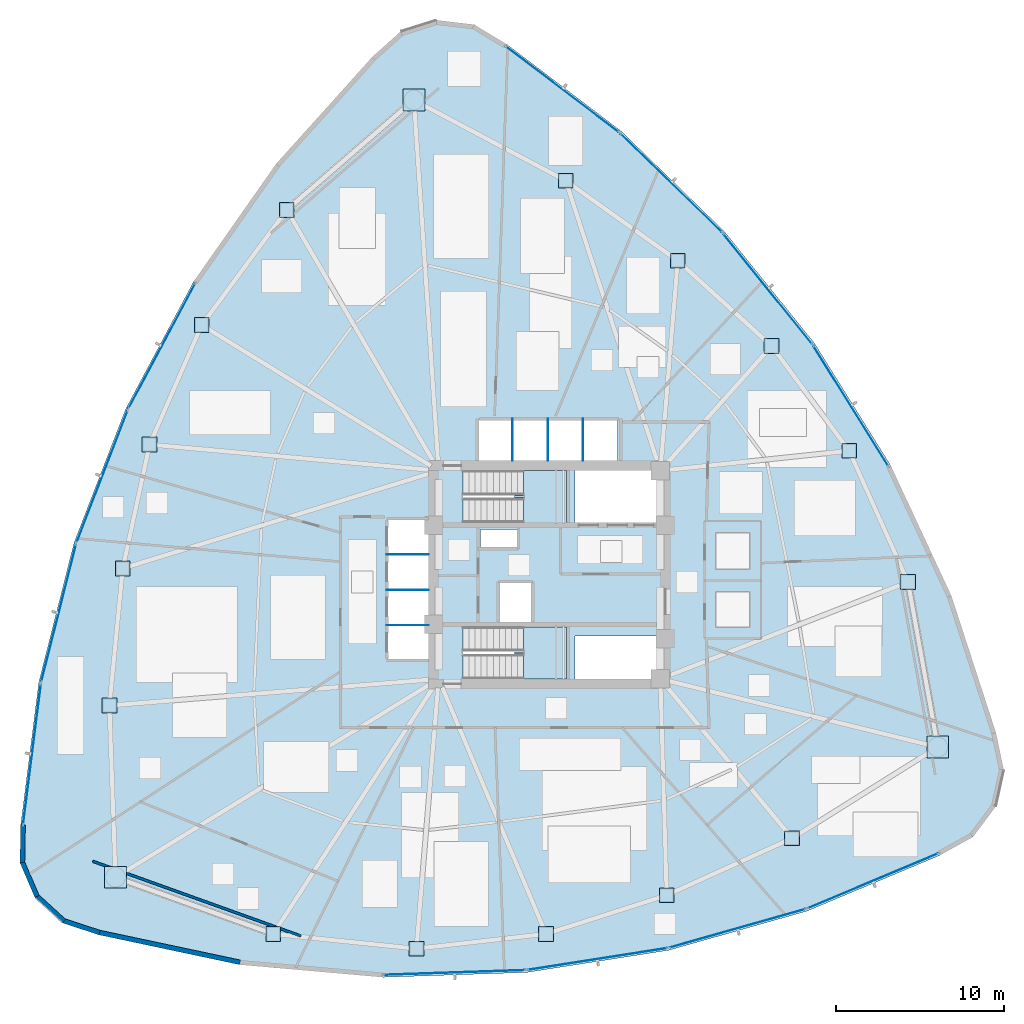
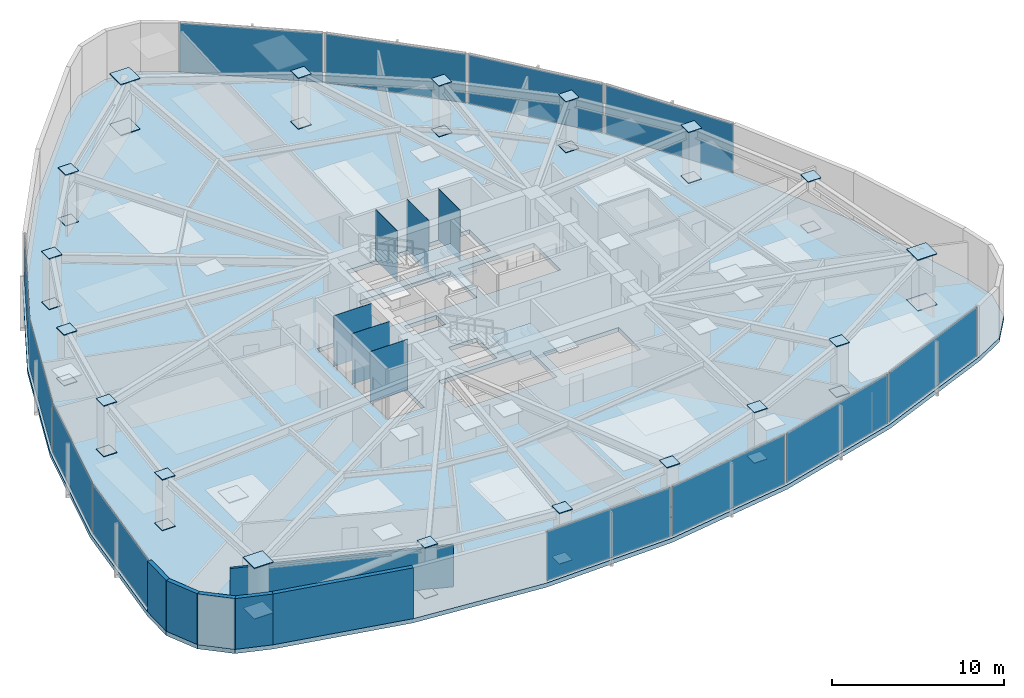
# One storey, part 11 of 18: 54 plates, 6 walls, 3 slabs, 14 elements without a shape of their own.
"""IFC4 building model written with IfcOpenShell, lengths in metres."""

from ifc_helpers import new_model, si_unit, direction, frame, frame_2d, origin, origin_2d, place, context, subcontext, project, spatial, polyline, rectangle, outline, extrude, source, transform, mapped, material, layer, layer_set, type_object, type_shapes, element, aggregate, save


model = new_model("IFC4")

# Units and contexts
model_context = context("Model", 3, precision=1e-05, world=origin(), true_north=direction((0.0, 1.0)))
body_context = subcontext(model_context, "Body", "Model", "MODEL_VIEW")
ifc_project = project(units=[si_unit("LENGTHUNIT", "METRE"), si_unit("AREAUNIT", "SQUARE_METRE"), si_unit("VOLUMEUNIT", "CUBIC_METRE"), si_unit("PLANEANGLEUNIT", "RADIAN"), si_unit("MASSUNIT", "GRAM", prefix="KILO")], contexts=[model_context])

# Site, building, storey
site_placement = place(None, origin())
site = spatial("IfcSite", under=ifc_project, at=site_placement, CompositionType="ELEMENT")
building_placement = place(site_placement, origin())
building = spatial("IfcBuilding", under=site, at=building_placement, Name="Tavelor Broadcast Tower", CompositionType="ELEMENT")
storey_placement = place(building_placement, frame((0.0, 0.0, 47.10009765625)))
storey = spatial("IfcBuildingStorey", under=building, at=storey_placement, Name="L10", CompositionType="ELEMENT", Elevation=47.10009765625)

# Stair, slab
ifc_material_1 = material(Name="Concrete C40/50", Category="concrete")
stair_type = type_object("IfcStairType", Name="Reinforced Concrete Protected Dogleg Stair 1450 mm", PredefinedType="HALF_TURN_STAIR", material=ifc_material_1)
stair_1_placement = place(storey_placement, origin())
stair_1 = element("IfcStair", 1, at=stair_1_placement, inside=storey, type_object=stair_type, Name="L10 Protected Core Exit Stair ST1", PredefinedType="HALF_TURN_STAIR")
ifc_layer_1 = layer(ifc_material_1, 0.199951171875)
ifc_layer_set_1 = layer_set([ifc_layer_1], Name="Concrete C40/50")
slab_type_1 = type_object("IfcSlabType", Name="Reinforced Concrete Stair Half-Landing Slab 200 mm", PredefinedType="LANDING", material=ifc_layer_set_1)
slab_1_placement = place(storey_placement, frame((0.0, 0.0, 1.75)))
slab_1 = element("IfcSlab", 2, at=slab_1_placement, type_object=slab_type_1, Name="ST1 landing 1", PredefinedType="LANDING", context=body_context, shape_type="SweptSolid", body=[
    extrude(outline(polyline([(48.445068359375, 49.590087890625), (48.445068359375, 48.094970703125), (51.0048828125, 48.094970703125), (51.0048828125, 51.205078125), (48.445068359375, 51.205078125), (48.445068359375, 49.7099609375), (47.905029296875, 49.7099609375), (47.905029296875, 49.590087890625), (48.445068359375, 49.590087890625)])), origin(), (0.0, 0.0, 1.0), 0.199951171875),
])
aggregate(stair_1, [slab_1])

stair_2_placement = place(storey_placement, origin())
stair_2 = element("IfcStair", 3, at=stair_2_placement, inside=storey, type_object=stair_type, Name="L10 Protected Core Exit Stair ST2", PredefinedType="HALF_TURN_STAIR")
slab_2_placement = place(storey_placement, frame((0.0, 0.0, 1.75)))
slab_2 = element("IfcSlab", 4, at=slab_2_placement, type_object=slab_type_1, Name="ST2 landing 1", PredefinedType="LANDING", context=body_context, shape_type="SweptSolid", body=[
    extrude(outline(polyline([(48.445068359375, 40.2900390625), (48.445068359375, 38.794921875), (51.0048828125, 38.794921875), (51.0048828125, 41.905029296875), (48.445068359375, 41.905029296875), (48.445068359375, 40.409912109375), (47.905029296875, 40.409912109375), (47.905029296875, 40.2900390625), (48.445068359375, 40.2900390625)])), origin(), (0.0, 0.0, 1.0), 0.199951171875),
])
aggregate(stair_2, [slab_2])

# Slab
ifc_layer_2 = layer(ifc_material_1, 0.300048828125)
ifc_layer_set_2 = layer_set([ifc_layer_2], Name="Concrete C40/50")
slab_type_2 = type_object("IfcSlabType", Name="Tower Composite Floor Slab 300 mm", PredefinedType="FLOOR", material=ifc_layer_set_2)
slab_3_placement = place(storey_placement, frame((0.0, 0.0, -0.300048828125)))
element("IfcSlab", 5, at=slab_3_placement, inside=storey, type_object=slab_type_2, Name="L10 Structural Floor Slab", PredefinedType="FLOOR", context=body_context, shape_type="SweptSolid", body=[
    extrude(outline(polyline([(47.44189453125, 76.59912109375), (45.513427734375, 77.760009765625), (43.2783203125, 78.024658203125), (41.132080078125, 77.345947265625), (39.45556640625, 75.84423828125), (33.7255859375, 69.47509765625), (28.808349609375, 62.45947265625), (24.7763671875, 54.900146484375), (21.688720703125, 46.908447265625), (19.5908203125, 38.60205078125), (18.513427734375, 30.1025390625), (18.47216796875, 27.852294921875), (19.360595703125, 25.7841796875), (21.021484375, 24.264892578125), (23.160400390625, 23.563720703125), (31.541259765625, 21.785888671875), (40.07568359375, 21.035400390625), (48.63818359375, 21.3232421875), (57.102783203125, 22.64501953125), (65.345458984375, 24.9814453125), (73.244873046875, 28.298095703125), (75.21435546875, 29.3876953125), (76.56103515625, 31.191162109375), (77.04638671875, 33.38916015625), (76.583984375, 35.591796875), (73.933349609375, 43.739013671875), (70.316162109375, 51.505126953125), (65.78564453125, 58.776611328125), (60.408447265625, 65.446533203125), (54.263916015625, 71.41650390625), (47.44189453125, 76.59912109375)]), holes=[polyline([(56.60009765625, 38.800048828125), (51.52001953125, 38.800048828125), (51.52001953125, 41.35009765625), (56.60009765625, 41.35009765625), (56.60009765625, 38.800048828125)]), polyline([(50.99609375, 38.803955078125), (44.85400390625, 38.803955078125), (44.85400390625, 41.89599609375), (50.99609375, 41.89599609375), (50.99609375, 38.803955078125)]), polyline([(47.050048828125, 42.199951171875), (47.050048828125, 44.550048828125), (48.949951171875, 44.550048828125), (48.949951171875, 42.199951171875), (47.050048828125, 42.199951171875)]), polyline([(40.35009765625, 40.0), (40.35009765625, 48.25), (42.800048828125, 48.25), (42.800048828125, 40.0), (40.35009765625, 40.0)]), polyline([(48.050048828125, 46.64990234375), (45.89990234375, 46.64990234375), (45.89990234375, 47.699951171875), (48.050048828125, 47.699951171875), (48.050048828125, 46.64990234375)]), polyline([(50.99609375, 48.10400390625), (44.85400390625, 48.10400390625), (44.85400390625, 51.196044921875), (50.99609375, 51.196044921875), (50.99609375, 48.10400390625)]), polyline([(56.60009765625, 48.10009765625), (51.52001953125, 48.10009765625), (51.52001953125, 51.199951171875), (56.60009765625, 51.199951171875), (56.60009765625, 48.10009765625)]), polyline([(54.050048828125, 51.800048828125), (45.800048828125, 51.800048828125), (45.800048828125, 54.25), (54.050048828125, 54.25), (54.050048828125, 51.800048828125)])]), origin(), (0.0, 0.0, 1.0), 0.300048828125),
])

# Plates
ifc_material_2 = material(Name="Steel S460", Category="steel")
ifc_layer_3 = layer(ifc_material_2, 0.050048828125)
ifc_layer_set_3 = layer_set([ifc_layer_3], Name="Steel S460")
plate_type_1 = type_object("IfcPlateType", Name="Tube Hollow-End Cap Plate KN05 700x700x50", PredefinedType="USERDEFINED", material=ifc_layer_set_3)
shared_shape_1 = source(origin(), body_context, "Body", "SweptSolid", [
    extrude(rectangle(XDim=1.299072265625, YDim=1.299072265625, at=origin_2d()), origin(), (0.0, 0.0, 1.0), 0.054931640625),
])
for number, where, z_axis, x_axis, name in (
    (6, (41.923095703125, 73.266357421875, -0.02734375), (0.0, 0.0, 1.0), (1.0, 0.0, 0.0), "L10 Hollow End Cap Plate KN05 #346"),
    (7, (41.923095703125, 73.266357421875, 3.572265625), (0.0, 0.0, 1.0), (1.0, 0.0, 0.0), "L10 Hollow End Cap Plate KN05 #347"),
    (8, (24.1591796875, 26.98974609375, -0.02734375), (0.0, 0.0, 1.0), (1.0, 0.0, 0.0), "L10 Hollow End Cap Plate KN05 #358"),
    (9, (24.1591796875, 26.98974609375, 3.572265625), (0.0, 0.0, 1.0), (1.0, 0.0, 0.0), "L10 Hollow End Cap Plate KN05 #359"),
    (10, (73.117919921875, 34.743896484375, -0.02734375), (0.0, 0.0, 1.0), (1.0, 0.0, 0.0), "L10 Hollow End Cap Plate KN05 #370"),
    (11, (73.117919921875, 34.743896484375, 3.572265625), (0.0, 0.0, 1.0), (1.0, 0.0, 0.0), "L10 Hollow End Cap Plate KN05 #371"),
):
    element("IfcPlate", number, at=place(storey_placement, frame(where, z_axis=z_axis, x_axis=x_axis)), inside=storey, type_object=plate_type_1, Name=name, ObjectType="CAP PLATE", PredefinedType="USERDEFINED", context=body_context, shape_type="MappedRepresentation", body=[
        mapped(shared_shape_1, transform((0.0, 0.0, 0.0), scale=1.0)),
    ])
shared_shape_2 = source(origin(), body_context, "Body", "SweptSolid", [
    extrude(rectangle(XDim=0.8798828125, YDim=0.8798828125, at=origin_2d()), origin(), (0.0, 0.0, 1.0), 0.054931640625),
])
type_shapes(plate_type_1, [shared_shape_1, shared_shape_2])
for number, where, z_axis, x_axis, name in (
    (12, (34.356201171875, 66.727783203125, -0.02734375), (0.0, 0.0, 1.0), (1.0, 0.0, 0.0), "L10 Hollow End Cap Plate KN05 #348"),
    (13, (34.356201171875, 66.727783203125, 3.572265625), (0.0, 0.0, 1.0), (1.0, 0.0, 0.0), "L10 Hollow End Cap Plate KN05 #349"),
    (14, (29.292236328125, 59.87158203125, -0.02734375), (0.0, 0.0, 1.0), (1.0, 0.0, 0.0), "L10 Hollow End Cap Plate KN05 #350"),
    (15, (29.292236328125, 59.87158203125, 3.572265625), (0.0, 0.0, 1.0), (1.0, 0.0, 0.0), "L10 Hollow End Cap Plate KN05 #351"),
    (16, (26.189208984375, 52.75830078125, -0.02734375), (0.0, 0.0, 1.0), (1.0, 0.0, 0.0), "L10 Hollow End Cap Plate KN05 #352"),
    (17, (26.189208984375, 52.75830078125, 3.572265625), (0.0, 0.0, 1.0), (1.0, 0.0, 0.0), "L10 Hollow End Cap Plate KN05 #353"),
    (18, (24.58984375, 45.380615234375, -0.02734375), (0.0, 0.0, 1.0), (1.0, 0.0, 0.0), "L10 Hollow End Cap Plate KN05 #354"),
    (19, (24.58984375, 45.380615234375, 3.572265625), (0.0, 0.0, 1.0), (1.0, 0.0, 0.0), "L10 Hollow End Cap Plate KN05 #355"),
    (20, (23.794677734375, 37.21630859375, -0.02734375), (0.0, 0.0, 1.0), (1.0, 0.0, 0.0), "L10 Hollow End Cap Plate KN05 #356"),
    (21, (23.794677734375, 37.21630859375, 3.572265625), (0.0, 0.0, 1.0), (1.0, 0.0, 0.0), "L10 Hollow End Cap Plate KN05 #357"),
    (22, (33.55078125, 23.615478515625, -0.02734375), (0.0, 0.0, 1.0), (1.0, 0.0, 0.0), "L10 Hollow End Cap Plate KN05 #360"),
    (23, (33.55078125, 23.615478515625, 3.572265625), (0.0, 0.0, 1.0), (1.0, 0.0, 0.0), "L10 Hollow End Cap Plate KN05 #361"),
    (24, (42.0732421875, 22.740478515625, -0.02734375), (0.0, 0.0, 1.0), (1.0, 0.0, 0.0), "L10 Hollow End Cap Plate KN05 #362"),
    (25, (42.0732421875, 22.740478515625, 3.572265625), (0.0, 0.0, 1.0), (1.0, 0.0, 0.0), "L10 Hollow End Cap Plate KN05 #363"),
    (26, (49.78662109375, 23.617919921875, -0.02734375), (0.0, 0.0, 1.0), (1.0, 0.0, 0.0), "L10 Hollow End Cap Plate KN05 #364"),
    (27, (49.78662109375, 23.617919921875, 3.572265625), (0.0, 0.0, 1.0), (1.0, 0.0, 0.0), "L10 Hollow End Cap Plate KN05 #365"),
    (28, (56.975341796875, 25.92138671875, -0.02734375), (0.0, 0.0, 1.0), (1.0, 0.0, 0.0), "L10 Hollow End Cap Plate KN05 #366"),
    (29, (56.975341796875, 25.92138671875, 3.572265625), (0.0, 0.0, 1.0), (1.0, 0.0, 0.0), "L10 Hollow End Cap Plate KN05 #367"),
    (30, (64.443603515625, 29.31494140625, -0.02734375), (0.0, 0.0, 1.0), (1.0, 0.0, 0.0), "L10 Hollow End Cap Plate KN05 #368"),
    (31, (64.443603515625, 29.31494140625, 3.572265625), (0.0, 0.0, 1.0), (1.0, 0.0, 0.0), "L10 Hollow End Cap Plate KN05 #369"),
    (32, (71.343994140625, 44.564697265625, -0.02734375), (0.0, 0.0, 1.0), (1.0, 0.0, 0.0), "L10 Hollow End Cap Plate KN05 #372"),
    (33, (71.343994140625, 44.564697265625, 3.572265625), (0.0, 0.0, 1.0), (1.0, 0.0, 0.0), "L10 Hollow End Cap Plate KN05 #373"),
    (34, (67.8408203125, 52.382568359375, -0.02734375), (0.0, 0.0, 1.0), (1.0, 0.0, 0.0), "L10 Hollow End Cap Plate KN05 #374"),
    (35, (67.8408203125, 52.382568359375, 3.572265625), (0.0, 0.0, 1.0), (1.0, 0.0, 0.0), "L10 Hollow End Cap Plate KN05 #375"),
    (36, (63.22412109375, 58.623779296875, -0.02734375), (0.0, 0.0, 1.0), (1.0, 0.0, 0.0), "L10 Hollow End Cap Plate KN05 #376"),
    (37, (63.22412109375, 58.623779296875, 3.572265625), (0.0, 0.0, 1.0), (1.0, 0.0, 0.0), "L10 Hollow End Cap Plate KN05 #377"),
    (38, (57.634765625, 63.69775390625, -0.02734375), (0.0, 0.0, 1.0), (1.0, 0.0, 0.0), "L10 Hollow End Cap Plate KN05 #378"),
    (39, (57.634765625, 63.69775390625, 3.572265625), (0.0, 0.0, 1.0), (1.0, 0.0, 0.0), "L10 Hollow End Cap Plate KN05 #379"),
    (40, (50.9619140625, 68.468505859375, -0.02734375), (0.0, 0.0, 1.0), (1.0, 0.0, 0.0), "L10 Hollow End Cap Plate KN05 #380"),
    (41, (50.9619140625, 68.468505859375, 3.572265625), (0.0, 0.0, 1.0), (1.0, 0.0, 0.0), "L10 Hollow End Cap Plate KN05 #381"),
):
    element("IfcPlate", number, at=place(storey_placement, frame(where, z_axis=z_axis, x_axis=x_axis)), inside=storey, type_object=plate_type_1, Name=name, ObjectType="CAP PLATE", PredefinedType="USERDEFINED", context=body_context, shape_type="MappedRepresentation", body=[
        mapped(shared_shape_2, transform((0.0, 0.0, 0.0), scale=1.0)),
    ])
ifc_material_3 = material(Name="Steel S355", Category="steel")
ifc_layer_4 = layer(ifc_material_3, 0.011962890625)
ifc_layer_set_4 = layer_set([ifc_layer_4], Name="Steel S355")
plate_type_2 = type_object("IfcPlateType", Name="Hoistway Steel Separator Screen 12 mm", PredefinedType="SHEET", material=ifc_layer_set_4)
shared_shape_3 = source(origin(), body_context, "Body", "SweptSolid", [
    extrude(rectangle(XDim=2.52001953125, YDim=0.02001953125, at=origin_2d()), origin(), (0.0, 0.0, 1.0), 3.60009765625),
])
for number, where, z_axis, x_axis, name in (
    (42, (41.56005859375, 42.0, -0.000244140625), (0.0, 0.0, 1.0), (1.0, 0.0, 0.0), "L10 Low-Rise Hoistway Separator Screen 1"),
    (43, (41.56005859375, 44.10009765625, -0.000244140625), (0.0, 0.0, 1.0), (1.0, 0.0, 0.0), "L10 Low-Rise Hoistway Separator Screen 2"),
    (44, (41.56005859375, 46.199951171875, -0.000244140625), (0.0, 0.0, 1.0), (1.0, 0.0, 0.0), "L10 Low-Rise Hoistway Separator Screen 3"),
):
    element("IfcPlate", number, at=place(storey_placement, frame(where, z_axis=z_axis, x_axis=x_axis)), inside=storey, type_object=plate_type_2, Name=name, PredefinedType="SHEET", context=body_context, shape_type="MappedRepresentation", body=[
        mapped(shared_shape_3, transform((0.0, 0.0, 0.0), scale=1.0)),
    ])
shared_shape_4 = source(origin(), body_context, "Body", "SweptSolid", [
    extrude(rectangle(XDim=0.02001953125, YDim=2.52001953125, at=origin_2d()), origin(), (0.0, 0.0, 1.0), 3.60009765625),
])
type_shapes(plate_type_2, [shared_shape_3, shared_shape_4])
for number, where, z_axis, x_axis, name in (
    (45, (47.800048828125, 53.0400390625, -0.000244140625), (0.0, 0.0, 1.0), (1.0, 0.0, 0.0), "L10 High-Rise Hoistway Separator Screen 1"),
    (46, (49.89990234375, 53.0400390625, -0.000244140625), (0.0, 0.0, 1.0), (1.0, 0.0, 0.0), "L10 High-Rise Hoistway Separator Screen 2"),
    (47, (52.0, 53.0400390625, -0.000244140625), (0.0, 0.0, 1.0), (1.0, 0.0, 0.0), "L10 High-Rise Hoistway Separator Screen 3"),
):
    element("IfcPlate", number, at=place(storey_placement, frame(where, z_axis=z_axis, x_axis=x_axis)), inside=storey, type_object=plate_type_2, Name=name, PredefinedType="SHEET", context=body_context, shape_type="MappedRepresentation", body=[
        mapped(shared_shape_4, transform((0.0, 0.0, 0.0), scale=1.0)),
    ])

# Curtain wall, plate
ifc_material_4 = material(Name="Architectural Anodized Aluminium", Category="aluminium")
ifc_layer_5 = layer(ifc_material_4, 0.179931640625)
ifc_layer_set_5 = layer_set([ifc_layer_5], Name="Architectural Anodized Aluminium")
curtain_wall_type = type_object("IfcCurtainWallType", Name="Tower Low-Zone Unitised Curtain Wall CW02", PredefinedType="NOTDEFINED", material=ifc_layer_set_5)
curtain_wall_1_placement = place(storey_placement, origin())
curtain_wall_1 = element("IfcCurtainWall", 48, at=curtain_wall_1_placement, inside=storey, type_object=curtain_wall_type, Name="L10 Curtain Wall CW02 Run 73", PredefinedType="NOTDEFINED")
ifc_material_5 = material(Name="Acoustic Double Glazing 28 mm", Category="glass")
ifc_layer_6 = layer(ifc_material_5, 0.028076171875)
ifc_layer_set_6 = layer_set([ifc_layer_6], Name="Acoustic Double Glazing 28 mm")
plate_type_3 = type_object("IfcPlateType", Name="CW02 Insulated Vision Glazing Panel 28 mm", PredefinedType="CURTAIN_PANEL", material=ifc_layer_set_6)
shared_shape_5 = source(origin(), body_context, "Body", "SweptSolid", [
    extrude(rectangle(XDim=8.4052734375, YDim=0.028076171875, at=origin_2d()), origin(), (0.0, 0.0, 1.0), 3.469970703125),
])
plate_1_placement = place(storey_placement, frame((26.91943359375, 58.620361328125, 0.06494140625), z_axis=(0.0, 0.0, 1.0), x_axis=(-0.470616815411, -0.882337697853, 0.0)))
plate_1 = element("IfcPlate", 49, at=plate_1_placement, type_object=plate_type_3, Name="CW02 panel 1.1", PredefinedType="CURTAIN_PANEL", context=body_context, shape_type="MappedRepresentation", body=[
    mapped(shared_shape_5, transform((0.0, 0.0, 0.0), scale=1.0)),
])
aggregate(curtain_wall_1, [plate_1])

curtain_wall_2_placement = place(storey_placement, origin())
curtain_wall_2 = element("IfcCurtainWall", 50, at=curtain_wall_2_placement, inside=storey, type_object=curtain_wall_type, Name="L10 Curtain Wall CW02 Run 77", PredefinedType="NOTDEFINED")
plate_2_placement = place(storey_placement, frame((44.3447265625, 21.319091796875, 0.06494140625), z_axis=(0.0, 0.0, 1.0), x_axis=(0.99943609502, 0.033578147223, 0.0)))
plate_2 = element("IfcPlate", 51, at=plate_2_placement, type_object=plate_type_3, Name="CW02 panel 1.1", PredefinedType="CURTAIN_PANEL", context=body_context, shape_type="MappedRepresentation", body=[
    mapped(shared_shape_5, transform((0.0, 0.0, 0.0), scale=1.0)),
])
aggregate(curtain_wall_2, [plate_2])

curtain_wall_3_placement = place(storey_placement, origin())
curtain_wall_3 = element("IfcCurtainWall", 52, at=curtain_wall_3_placement, inside=storey, type_object=curtain_wall_type, Name="L10 Curtain Wall CW02 Run 81", PredefinedType="NOTDEFINED")
plate_3_placement = place(storey_placement, frame((67.93603515625, 55.060546875, 0.06494140625), z_axis=(0.0, 0.0, 1.0), x_axis=(-0.528811554684, 0.848739264811, 0.0)))
plate_3 = element("IfcPlate", 53, at=plate_3_placement, type_object=plate_type_3, Name="CW02 panel 1.1", PredefinedType="CURTAIN_PANEL", context=body_context, shape_type="MappedRepresentation", body=[
    mapped(shared_shape_5, transform((0.0, 0.0, 0.0), scale=1.0)),
])
aggregate(curtain_wall_3, [plate_3])

curtain_wall_4_placement = place(storey_placement, origin())
curtain_wall_4 = element("IfcCurtainWall", 54, at=curtain_wall_4_placement, inside=storey, type_object=curtain_wall_type, Name="L10 Curtain Wall CW02 Run 74", PredefinedType="NOTDEFINED")
shared_shape_6 = source(origin(), body_context, "Body", "SweptSolid", [
    extrude(rectangle(XDim=8.390380859375, YDim=0.028076171875, at=origin_2d()), origin(), (0.0, 0.0, 1.0), 3.469970703125),
])
plate_4_placement = place(storey_placement, frame((23.363037109375, 50.853759765625, 0.06494140625), z_axis=(0.0, 0.0, 1.0), x_axis=(-0.360399047108, -0.932798224078, 0.0)))
plate_4 = element("IfcPlate", 55, at=plate_4_placement, type_object=plate_type_3, Name="CW02 panel 1.1", PredefinedType="CURTAIN_PANEL", context=body_context, shape_type="MappedRepresentation", body=[
    mapped(shared_shape_6, transform((0.0, 0.0, 0.0), scale=1.0)),
])
aggregate(curtain_wall_4, [plate_4])

curtain_wall_5_placement = place(storey_placement, origin())
curtain_wall_5 = element("IfcCurtainWall", 56, at=curtain_wall_5_placement, inside=storey, type_object=curtain_wall_type, Name="L10 Curtain Wall CW02 Run 75", PredefinedType="NOTDEFINED")
plate_5_placement = place(storey_placement, frame((20.775390625, 42.720947265625, 0.06494140625), z_axis=(0.0, 0.0, 1.0), x_axis=(-0.244873970215, -0.969554917842, 0.0)))
plate_5 = element("IfcPlate", 57, at=plate_5_placement, type_object=plate_type_3, Name="CW02 panel 1.1", PredefinedType="CURTAIN_PANEL", context=body_context, shape_type="MappedRepresentation", body=[
    mapped(shared_shape_6, transform((0.0, 0.0, 0.0), scale=1.0)),
])
aggregate(curtain_wall_5, [plate_5])

curtain_wall_6_placement = place(storey_placement, origin())
curtain_wall_6 = element("IfcCurtainWall", 58, at=curtain_wall_6_placement, inside=storey, type_object=curtain_wall_type, Name="L10 Curtain Wall CW02 Run 78", PredefinedType="NOTDEFINED")
plate_6_placement = place(storey_placement, frame((52.848876953125, 22.122314453125, 0.06494140625), z_axis=(0.0, 0.0, 1.0), x_axis=(0.988025903229, 0.154288089461, 0.0)))
plate_6 = element("IfcPlate", 59, at=plate_6_placement, type_object=plate_type_3, Name="CW02 panel 1.1", PredefinedType="CURTAIN_PANEL", context=body_context, shape_type="MappedRepresentation", body=[
    mapped(shared_shape_6, transform((0.0, 0.0, 0.0), scale=1.0)),
])
aggregate(curtain_wall_6, [plate_6])

curtain_wall_7_placement = place(storey_placement, origin())
curtain_wall_7 = element("IfcCurtainWall", 60, at=curtain_wall_7_placement, inside=storey, type_object=curtain_wall_type, Name="L10 Curtain Wall CW02 Run 79", PredefinedType="NOTDEFINED")
plate_7_placement = place(storey_placement, frame((61.18603515625, 23.947998046875, 0.06494140625), z_axis=(0.0, 0.0, 1.0), x_axis=(0.962092755554, 0.272722440791, 0.0)))
plate_7 = element("IfcPlate", 61, at=plate_7_placement, type_object=plate_type_3, Name="CW02 panel 1.1", PredefinedType="CURTAIN_PANEL", context=body_context, shape_type="MappedRepresentation", body=[
    mapped(shared_shape_6, transform((0.0, 0.0, 0.0), scale=1.0)),
])
aggregate(curtain_wall_7, [plate_7])

curtain_wall_8_placement = place(storey_placement, origin())
curtain_wall_8 = element("IfcCurtainWall", 62, at=curtain_wall_8_placement, inside=storey, type_object=curtain_wall_type, Name="L10 Curtain Wall CW02 Run 82", PredefinedType="NOTDEFINED")
plate_8_placement = place(storey_placement, frame((62.988037109375, 62.023681640625, 0.06494140625), z_axis=(0.0, 0.0, 1.0), x_axis=(-0.627627647152, 0.778513671383, 0.0)))
plate_8 = element("IfcPlate", 63, at=plate_8_placement, type_object=plate_type_3, Name="CW02 panel 1.1", PredefinedType="CURTAIN_PANEL", context=body_context, shape_type="MappedRepresentation", body=[
    mapped(shared_shape_6, transform((0.0, 0.0, 0.0), scale=1.0)),
])
aggregate(curtain_wall_8, [plate_8])

curtain_wall_9_placement = place(storey_placement, origin())
curtain_wall_9 = element("IfcCurtainWall", 64, at=curtain_wall_9_placement, inside=storey, type_object=curtain_wall_type, Name="L10 Curtain Wall CW02 Run 76", PredefinedType="NOTDEFINED")
shared_shape_7 = source(origin(), body_context, "Body", "SweptSolid", [
    extrude(rectangle(XDim=8.40625, YDim=0.028076171875, at=origin_2d()), origin(), (0.0, 0.0, 1.0), 3.469970703125),
])
plate_9_placement = place(storey_placement, frame((19.18994140625, 34.326904296875, 0.06494140625), z_axis=(0.0, 0.0, 1.0), x_axis=(-0.125744521639, -0.992062656931, 0.0)))
plate_9 = element("IfcPlate", 65, at=plate_9_placement, type_object=plate_type_3, Name="CW02 panel 1.1", PredefinedType="CURTAIN_PANEL", context=body_context, shape_type="MappedRepresentation", body=[
    mapped(shared_shape_7, transform((0.0, 0.0, 0.0), scale=1.0)),
])
aggregate(curtain_wall_9, [plate_9])

curtain_wall_10_placement = place(storey_placement, origin())
curtain_wall_10 = element("IfcCurtainWall", 66, at=curtain_wall_10_placement, inside=storey, type_object=curtain_wall_type, Name="L10 Curtain Wall CW02 Run 80", PredefinedType="NOTDEFINED")
plate_10_placement = place(storey_placement, frame((69.248291015625, 26.77197265625, 0.06494140625), z_axis=(0.0, 0.0, 1.0), x_axis=(0.922021917373, 0.387137680786, 0.0)))
plate_10 = element("IfcPlate", 67, at=plate_10_placement, type_object=plate_type_3, Name="CW02 panel 1.1", PredefinedType="CURTAIN_PANEL", context=body_context, shape_type="MappedRepresentation", body=[
    mapped(shared_shape_7, transform((0.0, 0.0, 0.0), scale=1.0)),
])
aggregate(curtain_wall_10, [plate_10])

curtain_wall_11_placement = place(storey_placement, origin())
curtain_wall_11 = element("IfcCurtainWall", 68, at=curtain_wall_11_placement, inside=storey, type_object=curtain_wall_type, Name="L10 Curtain Wall CW02 Run 83", PredefinedType="NOTDEFINED")
shared_shape_8 = source(origin(), body_context, "Body", "SweptSolid", [
    extrude(rectangle(XDim=8.39013671875, YDim=0.028076171875, at=origin_2d()), origin(), (0.0, 0.0, 1.0), 3.469970703125),
])
plate_11_placement = place(storey_placement, frame((57.238525390625, 68.3310546875, 0.06494140625), z_axis=(0.0, 0.0, 1.0), x_axis=(-0.717232451975, 0.696833990154, 0.0)))
plate_11 = element("IfcPlate", 69, at=plate_11_placement, type_object=plate_type_3, Name="CW02 panel 1.1", PredefinedType="CURTAIN_PANEL", context=body_context, shape_type="MappedRepresentation", body=[
    mapped(shared_shape_8, transform((0.0, 0.0, 0.0), scale=1.0)),
])
aggregate(curtain_wall_11, [plate_11])

curtain_wall_12_placement = place(storey_placement, origin())
curtain_wall_12 = element("IfcCurtainWall", 70, at=curtain_wall_12_placement, inside=storey, type_object=curtain_wall_type, Name="L10 Curtain Wall CW02 Run 84", PredefinedType="NOTDEFINED")
shared_shape_9 = source(origin(), body_context, "Body", "SweptSolid", [
    extrude(rectangle(XDim=8.406494140625, YDim=0.028076171875, at=origin_2d()), origin(), (0.0, 0.0, 1.0), 3.469970703125),
])
type_shapes(plate_type_3, [shared_shape_5, shared_shape_6, shared_shape_7, shared_shape_8, shared_shape_9])
plate_12_placement = place(storey_placement, frame((50.76171875, 73.901123046875, 0.06494140625), z_axis=(0.0, 0.0, 1.0), x_axis=(-0.796272114647, 0.604938607989, 0.0)))
plate_12 = element("IfcPlate", 71, at=plate_12_placement, type_object=plate_type_3, Name="CW02 panel 1.1", PredefinedType="CURTAIN_PANEL", context=body_context, shape_type="MappedRepresentation", body=[
    mapped(shared_shape_9, transform((0.0, 0.0, 0.0), scale=1.0)),
])
aggregate(curtain_wall_12, [plate_12])

# Walls
ifc_material_6 = material(Name="Precast Concrete C40/50", Category="concrete")
ifc_layer_7 = layer(ifc_material_6, 0.280029296875)
ifc_layer_set_7 = layer_set([ifc_layer_7], Name="Precast Concrete C40/50")
wall_type_1 = type_object("IfcWallType", Name="Insulated Precast Terracotta Facade Wall 280 mm", PredefinedType="STANDARD", material=ifc_layer_set_7)
wall_1_placement = place(storey_placement, frame((18.6533203125, 30.096435546875, 0.0), z_axis=(0.0, 0.0, 1.0), x_axis=(-0.018266287856, -0.999833157446, 0.0)))
element("IfcWall", 72, at=wall_1_placement, inside=storey, type_object=wall_type_1, Name="L10 Rounded Corner Structural Cladding Pier 11", PredefinedType="STANDARD", context=body_context, shape_type="SweptSolid", body=[
    extrude(rectangle(XDim=2.232177734375, YDim=0.280029296875, at=frame_2d((1.1162109375, 0.0))), origin(), (0.0, 0.0, 1.0), 3.599853515625),
])
wall_2_placement = place(storey_placement, frame((18.606689453125, 27.8935546875, 0.0), z_axis=(0.0, 0.0, 1.0), x_axis=(0.394794849439, -0.918769300128, 0.0)))
element("IfcWall", 73, at=wall_2_placement, inside=storey, type_object=wall_type_1, Name="L10 Rounded Corner Structural Cladding Pier 12", PredefinedType="STANDARD", context=body_context, shape_type="SweptSolid", body=[
    extrude(rectangle(XDim=2.220703125, YDim=0.280029296875, at=frame_2d((1.1103515625, 0.0))), origin(), (0.0, 0.0, 1.0), 3.599853515625),
])
wall_3_placement = place(storey_placement, frame((19.46630859375, 25.877197265625, 0.0), z_axis=(0.0, 0.0, 1.0), x_axis=(0.737852011616, -0.674962524111, 0.0)))
element("IfcWall", 74, at=wall_3_placement, inside=storey, type_object=wall_type_1, Name="L10 Rounded Corner Structural Cladding Pier 13", PredefinedType="STANDARD", context=body_context, shape_type="SweptSolid", body=[
    extrude(rectangle(XDim=2.220458984375, YDim=0.280029296875, at=frame_2d((1.1103515625, 0.0))), origin(), (0.0, 0.0, 1.0), 3.599853515625),
])
wall_4_placement = place(storey_placement, frame((21.07958984375, 24.393310546875, 0.0), z_axis=(0.0, 0.0, 1.0), x_axis=(0.950239049173, -0.311521667667, 0.0)))
element("IfcWall", 75, at=wall_4_placement, inside=storey, type_object=wall_type_1, Name="L10 Rounded Corner Structural Cladding Pier 14", PredefinedType="STANDARD", context=body_context, shape_type="SweptSolid", body=[
    extrude(rectangle(XDim=2.242919921875, YDim=0.280029296875, at=frame_2d((1.12158203125, 0.0))), origin(), (0.0, 0.0, 1.0), 3.599853515625),
])
wall_5_placement = place(storey_placement, frame((23.18212890625, 23.702392578125, 0.0), z_axis=(0.0, 0.0, 1.0), x_axis=(0.978231675017, -0.207515758422, 0.0)))
element("IfcWall", 76, at=wall_5_placement, inside=storey, type_object=wall_type_1, Name="L10 Rounded Corner Structural Cladding Pier 15", PredefinedType="STANDARD", context=body_context, shape_type="SweptSolid", body=[
    extrude(rectangle(XDim=8.581298828125, YDim=0.280029296875, at=frame_2d((4.29052734375, 0.0))), origin(), (0.0, 0.0, 1.0), 3.599853515625),
])
ifc_material_7 = material(Name="Gypsum Acoustic Plasterboard 150 mm", Category="gypsum")
ifc_layer_8 = layer(ifc_material_7, 0.14990234375)
ifc_layer_set_8 = layer_set([ifc_layer_8], Name="Gypsum Acoustic Plasterboard 150 mm")
wall_type_2 = type_object("IfcWallType", Name="Interior Acoustic Partition Wall 150 mm", PredefinedType="PARTITIONING", material=ifc_layer_set_8)
wall_6_placement = place(storey_placement, frame((22.802001953125, 27.94482421875, 0.0), z_axis=(0.0, 0.0, 1.0), x_axis=(0.941102349209, -0.338121824662, 0.0)))
element("IfcWall", 77, at=wall_6_placement, inside=storey, type_object=wall_type_2, Name="L10 Corner Tube Brace Furring Wall 2", PredefinedType="PARTITIONING", context=body_context, shape_type="SweptSolid", body=[
    extrude(rectangle(XDim=13.1796875, YDim=0.14990234375, at=frame_2d((6.58984375, 0.0))), origin(), (0.0, 0.0, 1.0), 2.9248046875),
])

save(model, "model.ifc")
